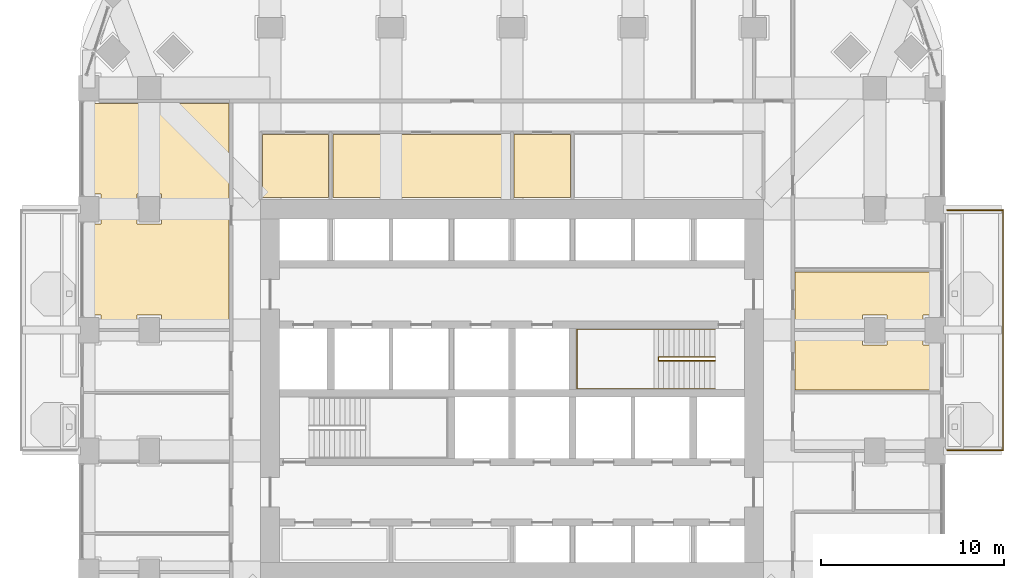
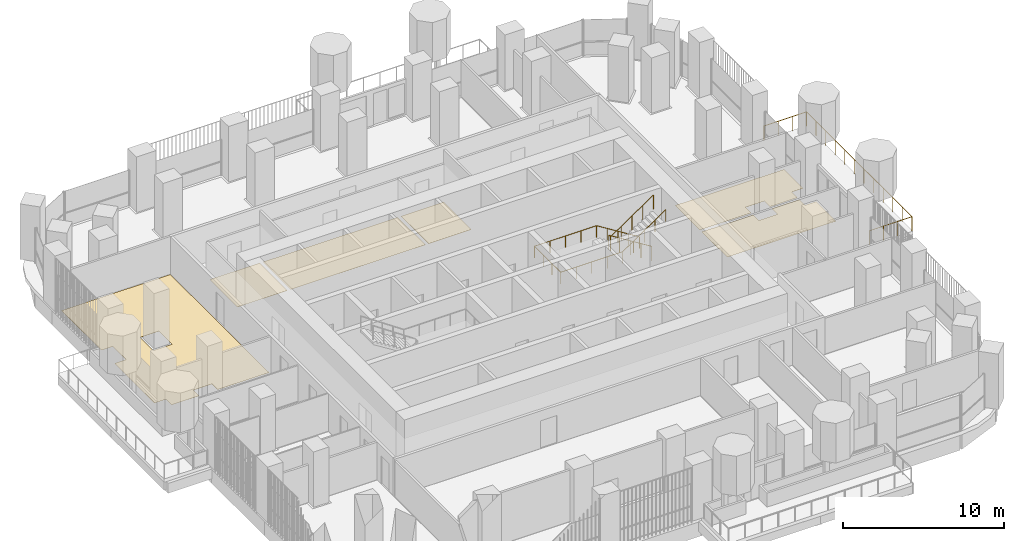
# One storey, part 20 of 22: 6 coverings, 3 railings.
"""IFC4 building model written with IfcOpenShell, lengths in metres."""

from ifc_helpers import new_model, si_unit, direction, frame, origin, place, context, subcontext, project, spatial, polyline, outline, extrude, material, layer, layer_set, type_object, element, save


model = new_model("IFC4")

# Units and contexts
model_context = context("Model", 3, precision=1e-05, world=origin(), true_north=direction((0.0, 1.0)))
body_context = subcontext(model_context, "Body", "Model", "MODEL_VIEW")
ifc_project = project(units=[si_unit("LENGTHUNIT", "METRE"), si_unit("AREAUNIT", "SQUARE_METRE"), si_unit("VOLUMEUNIT", "CUBIC_METRE"), si_unit("PLANEANGLEUNIT", "RADIAN"), si_unit("MASSUNIT", "GRAM", prefix="KILO")], contexts=[model_context])

# Site, building, storey
site_placement = place(None, origin())
site = spatial("IfcSite", under=ifc_project, at=site_placement, CompositionType="ELEMENT")
building_placement = place(site_placement, origin())
building = spatial("IfcBuilding", under=site, at=building_placement, Name="Cobogo Forest Laboratory Tower", CompositionType="ELEMENT")
storey_placement = place(building_placement, frame((0.0, 0.0, 120.0)))
storey = spatial("IfcBuildingStorey", under=building, at=storey_placement, Name="L27", CompositionType="ELEMENT", Elevation=120.0)

# Railing
ifc_material_1 = material(Name="Laminated glass balustrade", Category="glass")
railing_type_1 = type_object("IfcRailingType", Name="BG1 glass balustrade 1100", PredefinedType="GUARDRAIL", material=ifc_material_1)
railing_1_placement = place(storey_placement, frame((50.14990234375, 19.85009765625, 0.0)))
element("IfcRailing", 1, at=railing_1_placement, inside=storey, type_object=railing_type_1, Name="Balcony balustrade BAL-E1 L27", PredefinedType="GUARDRAIL", context=body_context, shape_type="SweptSolid", body=[
    extrude(outline(polyline([(0.022216796875, 0.00927734375), (0.00927734375, 0.022216796875), (-0.00927734375, 0.022216796875), (-0.022216796875, 0.00927734375), (-0.022216796875, -0.00927734375), (-0.00927734375, -0.022216796875), (0.00927734375, -0.022216796875), (0.022216796875, -0.00927734375), (0.022216796875, 0.00927734375)])), frame((0.0, 0.0, 1.077880859375), z_axis=(1.0, 0.0, 0.0), x_axis=(0.0, 1.0, 0.0)), (0.0, 0.0, 1.0), 3.050048828125),
    extrude(outline(polyline([(0.022216796875, 0.00927734375), (0.00927734375, 0.022216796875), (-0.00927734375, 0.022216796875), (-0.022216796875, 0.00927734375), (-0.022216796875, -0.00927734375), (-0.00927734375, -0.022216796875), (0.00927734375, -0.022216796875), (0.022216796875, -0.00927734375), (0.022216796875, 0.00927734375)])), frame((3.050048828125, 0.0, 1.077880859375), z_axis=(0.0, 1.0, 0.0), x_axis=(-1.0, 0.0, 0.0)), (0.0, 0.0, 1.0), 13.099853515625),
    extrude(outline(polyline([(0.022216796875, 0.00927734375), (0.00927734375, 0.022216796875), (-0.00927734375, 0.022216796875), (-0.022216796875, 0.00927734375), (-0.022216796875, -0.00927734375), (-0.00927734375, -0.022216796875), (0.00927734375, -0.022216796875), (0.022216796875, -0.00927734375), (0.022216796875, 0.00927734375)])), frame((3.050048828125, 13.099853515625, 1.077880859375), z_axis=(-1.0, 0.0, 0.0), x_axis=(0.0, -1.0, 0.0)), (0.0, 0.0, 1.0), 3.050048828125),
    extrude(outline(polyline([(0.019287109375, 0.008056640625), (0.008056640625, 0.019287109375), (-0.008056640625, 0.019287109375), (-0.019287109375, 0.008056640625), (-0.019287109375, -0.008056640625), (-0.008056640625, -0.019287109375), (0.008056640625, -0.019287109375), (0.019287109375, -0.008056640625), (0.019287109375, 0.008056640625)])), origin(), (0.0, 0.0, 1.0), 1.077880859375),
    extrude(outline(polyline([(0.019287109375, 0.008056640625), (0.008056640625, 0.019287109375), (-0.008056640625, 0.019287109375), (-0.019287109375, 0.008056640625), (-0.019287109375, -0.008056640625), (-0.008056640625, -0.019287109375), (0.008056640625, -0.019287109375), (0.019287109375, -0.008056640625), (0.019287109375, 0.008056640625)])), frame((1.0166015625, 0.0, 0.0)), (0.0, 0.0, 1.0), 1.077880859375),
    extrude(outline(polyline([(0.019287109375, 0.008056640625), (0.008056640625, 0.019287109375), (-0.008056640625, 0.019287109375), (-0.019287109375, 0.008056640625), (-0.019287109375, -0.008056640625), (-0.008056640625, -0.019287109375), (0.008056640625, -0.019287109375), (0.019287109375, -0.008056640625), (0.019287109375, 0.008056640625)])), frame((2.033447265625, 0.0, 0.0)), (0.0, 0.0, 1.0), 1.077880859375),
    extrude(outline(polyline([(0.019287109375, 0.008056640625), (0.008056640625, 0.019287109375), (-0.008056640625, 0.019287109375), (-0.019287109375, 0.008056640625), (-0.019287109375, -0.008056640625), (-0.008056640625, -0.019287109375), (0.008056640625, -0.019287109375), (0.019287109375, -0.008056640625), (0.019287109375, 0.008056640625)])), frame((3.050048828125, 0.0, 0.0)), (0.0, 0.0, 1.0), 1.077880859375),
    extrude(outline(polyline([(0.019287109375, 0.008056640625), (0.008056640625, 0.019287109375), (-0.008056640625, 0.019287109375), (-0.019287109375, 0.008056640625), (-0.019287109375, -0.008056640625), (-0.008056640625, -0.019287109375), (0.008056640625, -0.019287109375), (0.019287109375, -0.008056640625), (0.019287109375, 0.008056640625)])), frame((3.050048828125, 1.19091796875, 0.0)), (0.0, 0.0, 1.0), 1.077880859375),
    extrude(outline(polyline([(0.019287109375, 0.008056640625), (0.008056640625, 0.019287109375), (-0.008056640625, 0.019287109375), (-0.019287109375, 0.008056640625), (-0.019287109375, -0.008056640625), (-0.008056640625, -0.019287109375), (0.008056640625, -0.019287109375), (0.019287109375, -0.008056640625), (0.019287109375, 0.008056640625)])), frame((3.050048828125, 2.3818359375, 0.0)), (0.0, 0.0, 1.0), 1.077880859375),
    extrude(outline(polyline([(0.019287109375, 0.008056640625), (0.008056640625, 0.019287109375), (-0.008056640625, 0.019287109375), (-0.019287109375, 0.008056640625), (-0.019287109375, -0.008056640625), (-0.008056640625, -0.019287109375), (0.008056640625, -0.019287109375), (0.019287109375, -0.008056640625), (0.019287109375, 0.008056640625)])), frame((3.050048828125, 3.57275390625, 0.0)), (0.0, 0.0, 1.0), 1.077880859375),
    extrude(outline(polyline([(0.019287109375, 0.008056640625), (0.008056640625, 0.019287109375), (-0.008056640625, 0.019287109375), (-0.019287109375, 0.008056640625), (-0.019287109375, -0.008056640625), (-0.008056640625, -0.019287109375), (0.008056640625, -0.019287109375), (0.019287109375, -0.008056640625), (0.019287109375, 0.008056640625)])), frame((3.050048828125, 4.763671875, 0.0)), (0.0, 0.0, 1.0), 1.077880859375),
    extrude(outline(polyline([(0.019287109375, 0.008056640625), (0.008056640625, 0.019287109375), (-0.008056640625, 0.019287109375), (-0.019287109375, 0.008056640625), (-0.019287109375, -0.008056640625), (-0.008056640625, -0.019287109375), (0.008056640625, -0.019287109375), (0.019287109375, -0.008056640625), (0.019287109375, 0.008056640625)])), frame((3.050048828125, 5.95458984375, 0.0)), (0.0, 0.0, 1.0), 1.077880859375),
    extrude(outline(polyline([(0.019287109375, 0.008056640625), (0.008056640625, 0.019287109375), (-0.008056640625, 0.019287109375), (-0.019287109375, 0.008056640625), (-0.019287109375, -0.008056640625), (-0.008056640625, -0.019287109375), (0.008056640625, -0.019287109375), (0.019287109375, -0.008056640625), (0.019287109375, 0.008056640625)])), frame((3.050048828125, 7.145263671875, 0.0)), (0.0, 0.0, 1.0), 1.077880859375),
    extrude(outline(polyline([(0.019287109375, 0.008056640625), (0.008056640625, 0.019287109375), (-0.008056640625, 0.019287109375), (-0.019287109375, 0.008056640625), (-0.019287109375, -0.008056640625), (-0.008056640625, -0.019287109375), (0.008056640625, -0.019287109375), (0.019287109375, -0.008056640625), (0.019287109375, 0.008056640625)])), frame((3.050048828125, 8.336181640625, 0.0)), (0.0, 0.0, 1.0), 1.077880859375),
    extrude(outline(polyline([(0.019287109375, 0.008056640625), (0.008056640625, 0.019287109375), (-0.008056640625, 0.019287109375), (-0.019287109375, 0.008056640625), (-0.019287109375, -0.008056640625), (-0.008056640625, -0.019287109375), (0.008056640625, -0.019287109375), (0.019287109375, -0.008056640625), (0.019287109375, 0.008056640625)])), frame((3.050048828125, 9.527099609375, 0.0)), (0.0, 0.0, 1.0), 1.077880859375),
    extrude(outline(polyline([(0.019287109375, 0.008056640625), (0.008056640625, 0.019287109375), (-0.008056640625, 0.019287109375), (-0.019287109375, 0.008056640625), (-0.019287109375, -0.008056640625), (-0.008056640625, -0.019287109375), (0.008056640625, -0.019287109375), (0.019287109375, -0.008056640625), (0.019287109375, 0.008056640625)])), frame((3.050048828125, 10.718017578125, 0.0)), (0.0, 0.0, 1.0), 1.077880859375),
    extrude(outline(polyline([(0.019287109375, 0.008056640625), (0.008056640625, 0.019287109375), (-0.008056640625, 0.019287109375), (-0.019287109375, 0.008056640625), (-0.019287109375, -0.008056640625), (-0.008056640625, -0.019287109375), (0.008056640625, -0.019287109375), (0.019287109375, -0.008056640625), (0.019287109375, 0.008056640625)])), frame((3.050048828125, 11.908935546875, 0.0)), (0.0, 0.0, 1.0), 1.077880859375),
    extrude(outline(polyline([(0.019287109375, 0.008056640625), (0.008056640625, 0.019287109375), (-0.008056640625, 0.019287109375), (-0.019287109375, 0.008056640625), (-0.019287109375, -0.008056640625), (-0.008056640625, -0.019287109375), (0.008056640625, -0.019287109375), (0.019287109375, -0.008056640625), (0.019287109375, 0.008056640625)])), frame((3.050048828125, 13.099853515625, 0.0)), (0.0, 0.0, 1.0), 1.077880859375),
    extrude(outline(polyline([(0.019287109375, 0.008056640625), (0.008056640625, 0.019287109375), (-0.008056640625, 0.019287109375), (-0.019287109375, 0.008056640625), (-0.019287109375, -0.008056640625), (-0.008056640625, -0.019287109375), (0.008056640625, -0.019287109375), (0.019287109375, -0.008056640625), (0.019287109375, 0.008056640625)])), frame((2.033447265625, 13.099853515625, 0.0)), (0.0, 0.0, 1.0), 1.077880859375),
    extrude(outline(polyline([(0.019287109375, 0.008056640625), (0.008056640625, 0.019287109375), (-0.008056640625, 0.019287109375), (-0.019287109375, 0.008056640625), (-0.019287109375, -0.008056640625), (-0.008056640625, -0.019287109375), (0.008056640625, -0.019287109375), (0.019287109375, -0.008056640625), (0.019287109375, 0.008056640625)])), frame((1.0166015625, 13.099853515625, 0.0)), (0.0, 0.0, 1.0), 1.077880859375),
    extrude(outline(polyline([(0.019287109375, 0.008056640625), (0.008056640625, 0.019287109375), (-0.008056640625, 0.019287109375), (-0.019287109375, 0.008056640625), (-0.019287109375, -0.008056640625), (-0.008056640625, -0.019287109375), (0.008056640625, -0.019287109375), (0.019287109375, -0.008056640625), (0.019287109375, 0.008056640625)])), frame((0.0, 13.099853515625, 0.0)), (0.0, 0.0, 1.0), 1.077880859375),
])

# Coverings
ifc_material_2 = material(Name="Carpet tile on raised access floor", Category="flooring")
ifc_layer_1 = layer(ifc_material_2, 0.008056640625)
ifc_layer_set_1 = layer_set([ifc_layer_1], Name="CT1 carpet tile floor 8")
covering_type_1 = type_object("IfcCoveringType", Name="CT1 carpet tile floor 8", PredefinedType="FLOORING", material=ifc_layer_set_1)
covering_1_placement = place(storey_placement, origin())
element("IfcCovering", 2, at=covering_1_placement, inside=storey, type_object=covering_type_1, Name="Carpet floor L27-15", PredefinedType="FLOORING", context=body_context, shape_type="SweptSolid", body=[
    extrude(outline(polyline([(41.844970703125, 29.580078125), (49.64990234375, 29.580078125), (49.64990234375, 27.219970703125), (48.830078125, 27.219970703125), (48.830078125, 26.52001953125), (46.8701171875, 26.52001953125), (46.8701171875, 27.219970703125), (45.530029296875, 27.219970703125), (45.530029296875, 26.52001953125), (41.844970703125, 26.52001953125), (41.844970703125, 29.580078125)])), origin(), (0.0, 0.0, 1.0), 0.008056640625),
])
covering_2_placement = place(storey_placement, origin())
element("IfcCovering", 3, at=covering_2_placement, inside=storey, type_object=covering_type_1, Name="Carpet floor L27-25", PredefinedType="FLOORING", context=body_context, shape_type="SweptSolid", body=[
    extrude(outline(polyline([(10.955078125, 26.52001953125), (7.27001953125, 26.52001953125), (7.27001953125, 27.219970703125), (5.929931640625, 27.219970703125), (5.929931640625, 26.52001953125), (3.969970703125, 26.52001953125), (3.969970703125, 27.219970703125), (3.14990234375, 27.219970703125), (3.14990234375, 32.179931640625), (3.969970703125, 32.179931640625), (3.969970703125, 33.820068359375), (3.14990234375, 33.820068359375), (3.14990234375, 38.780029296875), (10.955078125, 38.780029296875), (10.955078125, 26.52001953125)]), holes=[polyline([(5.929931640625, 32.179931640625), (7.27001953125, 32.179931640625), (7.27001953125, 33.820068359375), (5.929931640625, 33.820068359375), (5.929931640625, 32.179931640625)])]), origin(), (0.0, 0.0, 1.0), 0.008056640625),
])

# Railings
ifc_material_3 = material(Name="Steel balustrade", Category="steel")
railing_type_2 = type_object("IfcRailingType", Name="GR stair guard 1100", PredefinedType="GUARDRAIL", material=ifc_material_3)
railing_2_placement = place(storey_placement, frame((37.47509765625, 24.929931640625, 0.175048828125)))
element("IfcRailing", 4, at=railing_2_placement, inside=storey, type_object=railing_type_2, Name="Stair guard ST2 L27", PredefinedType="GUARDRAIL", context=body_context, shape_type="SweptSolid", body=[
    extrude(outline(polyline([(0.022216796875, 0.00927734375), (0.00927734375, 0.022216796875), (-0.00927734375, 0.022216796875), (-0.022216796875, 0.00927734375), (-0.022216796875, -0.00927734375), (-0.00927734375, -0.022216796875), (0.00927734375, -0.022216796875), (0.022216796875, -0.00927734375), (0.022216796875, 0.00927734375)])), frame((0.0, 0.0, 1.077880859375), z_axis=(-0.847998304005, 0.0, 0.529998940003), x_axis=(0.0, -1.0, 0.0)), (0.0, 0.0, 1.0), 3.632080078125),
    extrude(outline(polyline([(0.022216796875, 0.00927734375), (0.00927734375, 0.022216796875), (-0.00927734375, 0.022216796875), (-0.022216796875, 0.00927734375), (-0.022216796875, -0.00927734375), (-0.00927734375, -0.022216796875), (0.00927734375, -0.022216796875), (0.022216796875, -0.00927734375), (0.022216796875, 0.00927734375)])), frame((-3.080078125, 0.0, 3.0029296875), z_axis=(0.0, -1.0, 0.0), x_axis=(1.0, 0.0, 0.0)), (0.0, 0.0, 1.0), 0.2099609375),
    extrude(outline(polyline([(0.022216796875, 0.00927734375), (0.00927734375, 0.022216796875), (-0.00927734375, 0.022216796875), (-0.022216796875, 0.00927734375), (-0.022216796875, -0.00927734375), (-0.00927734375, -0.022216796875), (0.00927734375, -0.022216796875), (0.022216796875, -0.00927734375), (0.022216796875, 0.00927734375)])), frame((-3.080078125, -0.2099609375, 3.0029296875), z_axis=(0.826252282691, 0.0, 0.563300244406), x_axis=(0.0, 1.0, 0.0)), (0.0, 0.0, 1.0), 3.727783203125),
    extrude(outline(polyline([(0.019287109375, 0.008056640625), (0.008056640625, 0.019287109375), (-0.008056640625, 0.019287109375), (-0.019287109375, 0.008056640625), (-0.019287109375, -0.008056640625), (-0.008056640625, -0.019287109375), (0.008056640625, -0.019287109375), (0.019287109375, -0.008056640625), (0.019287109375, 0.008056640625)])), origin(), (0.0, 0.0, 1.0), 1.077880859375),
    extrude(outline(polyline([(0.019287109375, 0.008056640625), (0.008056640625, 0.019287109375), (-0.008056640625, 0.019287109375), (-0.019287109375, 0.008056640625), (-0.019287109375, -0.008056640625), (-0.008056640625, -0.019287109375), (0.008056640625, -0.019287109375), (0.019287109375, -0.008056640625), (0.019287109375, 0.008056640625)])), frame((-0.77001953125, 0.0, 0.481201171875)), (0.0, 0.0, 1.0), 1.077880859375),
    extrude(outline(polyline([(0.019287109375, 0.008056640625), (0.008056640625, 0.019287109375), (-0.008056640625, 0.019287109375), (-0.019287109375, 0.008056640625), (-0.019287109375, -0.008056640625), (-0.008056640625, -0.019287109375), (0.008056640625, -0.019287109375), (0.019287109375, -0.008056640625), (0.019287109375, 0.008056640625)])), frame((-1.5400390625, 0.0, 0.96240234375)), (0.0, 0.0, 1.0), 1.077880859375),
    extrude(outline(polyline([(0.019287109375, 0.008056640625), (0.008056640625, 0.019287109375), (-0.008056640625, 0.019287109375), (-0.019287109375, 0.008056640625), (-0.019287109375, -0.008056640625), (-0.008056640625, -0.019287109375), (0.008056640625, -0.019287109375), (0.019287109375, -0.008056640625), (0.019287109375, 0.008056640625)])), frame((-2.31005859375, 0.0, 1.44384765625)), (0.0, 0.0, 1.0), 1.077880859375),
    extrude(outline(polyline([(0.019287109375, 0.008056640625), (0.008056640625, 0.019287109375), (-0.008056640625, 0.019287109375), (-0.019287109375, 0.008056640625), (-0.019287109375, -0.008056640625), (-0.008056640625, -0.019287109375), (0.008056640625, -0.019287109375), (0.019287109375, -0.008056640625), (0.019287109375, 0.008056640625)])), frame((-3.080078125, 0.0, 1.925048828125)), (0.0, 0.0, 1.0), 1.077880859375),
    extrude(outline(polyline([(0.019287109375, 0.008056640625), (0.008056640625, 0.019287109375), (-0.008056640625, 0.019287109375), (-0.019287109375, 0.008056640625), (-0.019287109375, -0.008056640625), (-0.008056640625, -0.019287109375), (0.008056640625, -0.019287109375), (0.019287109375, -0.008056640625), (0.019287109375, 0.008056640625)])), frame((-3.080078125, -0.2099609375, 1.925048828125)), (0.0, 0.0, 1.0), 1.077880859375),
    extrude(outline(polyline([(0.019287109375, 0.008056640625), (0.008056640625, 0.019287109375), (-0.008056640625, 0.019287109375), (-0.019287109375, 0.008056640625), (-0.019287109375, -0.008056640625), (-0.008056640625, -0.019287109375), (0.008056640625, -0.019287109375), (0.019287109375, -0.008056640625), (0.019287109375, 0.008056640625)])), frame((-2.31005859375, -0.2099609375, 2.449951171875)), (0.0, 0.0, 1.0), 1.077880859375),
    extrude(outline(polyline([(0.019287109375, 0.008056640625), (0.008056640625, 0.019287109375), (-0.008056640625, 0.019287109375), (-0.019287109375, 0.008056640625), (-0.019287109375, -0.008056640625), (-0.008056640625, -0.019287109375), (0.008056640625, -0.019287109375), (0.019287109375, -0.008056640625), (0.019287109375, 0.008056640625)])), frame((-1.5400390625, -0.2099609375, 2.97509765625)), (0.0, 0.0, 1.0), 1.077880859375),
    extrude(outline(polyline([(0.019287109375, 0.008056640625), (0.008056640625, 0.019287109375), (-0.008056640625, 0.019287109375), (-0.019287109375, 0.008056640625), (-0.019287109375, -0.008056640625), (-0.008056640625, -0.019287109375), (0.008056640625, -0.019287109375), (0.019287109375, -0.008056640625), (0.019287109375, 0.008056640625)])), frame((-0.77001953125, -0.2099609375, 3.5)), (0.0, 0.0, 1.0), 1.077880859375),
    extrude(outline(polyline([(0.019287109375, 0.008056640625), (0.008056640625, 0.019287109375), (-0.008056640625, 0.019287109375), (-0.019287109375, 0.008056640625), (-0.019287109375, -0.008056640625), (-0.008056640625, -0.019287109375), (0.008056640625, -0.019287109375), (0.019287109375, -0.008056640625), (0.019287109375, 0.008056640625)])), frame((0.0, -0.2099609375, 4.02490234375)), (0.0, 0.0, 1.0), 1.077880859375),
])
ifc_material_4 = material(Name="Stainless steel handrail", Category="steel")
railing_type_3 = type_object("IfcRailingType", Name="HR handrail 900", PredefinedType="HANDRAIL", material=ifc_material_4)
railing_3_placement = place(storey_placement, frame((37.47509765625, 26.449951171875, 0.175048828125)))
element("IfcRailing", 5, at=railing_3_placement, inside=storey, type_object=railing_type_3, Name="Stair handrail ST2 L27", PredefinedType="HANDRAIL", context=body_context, shape_type="SweptSolid", body=[
    extrude(outline(polyline([(0.022216796875, 0.00927734375), (0.00927734375, 0.022216796875), (-0.00927734375, 0.022216796875), (-0.022216796875, 0.00927734375), (-0.022216796875, -0.00927734375), (-0.00927734375, -0.022216796875), (0.00927734375, -0.022216796875), (0.022216796875, -0.00927734375), (0.022216796875, 0.00927734375)])), frame((0.0, 0.0, 0.877685546875), z_axis=(-0.847998304005, 0.0, 0.529998940003), x_axis=(0.0, -1.0, 0.0)), (0.0, 0.0, 1.0), 3.632080078125),
    extrude(outline(polyline([(0.022216796875, 0.00927734375), (0.00927734375, 0.022216796875), (-0.00927734375, 0.022216796875), (-0.022216796875, 0.00927734375), (-0.022216796875, -0.00927734375), (-0.00927734375, -0.022216796875), (0.00927734375, -0.022216796875), (0.022216796875, -0.00927734375), (0.022216796875, 0.00927734375)])), frame((-3.080078125, 0.0, 2.802734375), z_axis=(-1.0, 0.0, 0.0), x_axis=(0.0, -1.0, 0.0)), (0.0, 0.0, 1.0), 4.445068359375),
    extrude(outline(polyline([(0.022216796875, 0.00927734375), (0.00927734375, 0.022216796875), (-0.00927734375, 0.022216796875), (-0.022216796875, 0.00927734375), (-0.022216796875, -0.00927734375), (-0.00927734375, -0.022216796875), (0.00927734375, -0.022216796875), (0.022216796875, -0.00927734375), (0.022216796875, 0.00927734375)])), frame((-7.525146484375, 0.0, 2.802734375), z_axis=(0.0, -1.0, 0.0), x_axis=(1.0, 0.0, 0.0)), (0.0, 0.0, 1.0), 3.25),
    extrude(outline(polyline([(0.022216796875, 0.00927734375), (0.00927734375, 0.022216796875), (-0.00927734375, 0.022216796875), (-0.022216796875, 0.00927734375), (-0.022216796875, -0.00927734375), (-0.00927734375, -0.022216796875), (0.00927734375, -0.022216796875), (0.022216796875, -0.00927734375), (0.022216796875, 0.00927734375)])), frame((-7.525146484375, -3.25, 2.802734375), z_axis=(1.0, 0.0, 0.0), x_axis=(0.0, 1.0, 0.0)), (0.0, 0.0, 1.0), 4.445068359375),
    extrude(outline(polyline([(0.022216796875, 0.00927734375), (0.00927734375, 0.022216796875), (-0.00927734375, 0.022216796875), (-0.022216796875, 0.00927734375), (-0.022216796875, -0.00927734375), (-0.00927734375, -0.022216796875), (0.00927734375, -0.022216796875), (0.022216796875, -0.00927734375), (0.022216796875, 0.00927734375)])), frame((-3.080078125, -3.25, 2.802734375), z_axis=(0.826252282691, 0.0, 0.563300244406), x_axis=(0.0, 1.0, 0.0)), (0.0, 0.0, 1.0), 3.727783203125),
    extrude(outline(polyline([(0.019287109375, 0.008056640625), (0.008056640625, 0.019287109375), (-0.008056640625, 0.019287109375), (-0.019287109375, 0.008056640625), (-0.019287109375, -0.008056640625), (-0.008056640625, -0.019287109375), (0.008056640625, -0.019287109375), (0.019287109375, -0.008056640625), (0.019287109375, 0.008056640625)])), origin(), (0.0, 0.0, 1.0), 0.877685546875),
    extrude(outline(polyline([(0.019287109375, 0.008056640625), (0.008056640625, 0.019287109375), (-0.008056640625, 0.019287109375), (-0.019287109375, 0.008056640625), (-0.019287109375, -0.008056640625), (-0.008056640625, -0.019287109375), (0.008056640625, -0.019287109375), (0.019287109375, -0.008056640625), (0.019287109375, 0.008056640625)])), frame((-0.77001953125, 0.0, 0.481201171875)), (0.0, 0.0, 1.0), 0.877685546875),
    extrude(outline(polyline([(0.019287109375, 0.008056640625), (0.008056640625, 0.019287109375), (-0.008056640625, 0.019287109375), (-0.019287109375, 0.008056640625), (-0.019287109375, -0.008056640625), (-0.008056640625, -0.019287109375), (0.008056640625, -0.019287109375), (0.019287109375, -0.008056640625), (0.019287109375, 0.008056640625)])), frame((-1.5400390625, 0.0, 0.96240234375)), (0.0, 0.0, 1.0), 0.877685546875),
    extrude(outline(polyline([(0.019287109375, 0.008056640625), (0.008056640625, 0.019287109375), (-0.008056640625, 0.019287109375), (-0.019287109375, 0.008056640625), (-0.019287109375, -0.008056640625), (-0.008056640625, -0.019287109375), (0.008056640625, -0.019287109375), (0.019287109375, -0.008056640625), (0.019287109375, 0.008056640625)])), frame((-2.31005859375, 0.0, 1.44384765625)), (0.0, 0.0, 1.0), 0.877685546875),
    extrude(outline(polyline([(0.019287109375, 0.008056640625), (0.008056640625, 0.019287109375), (-0.008056640625, 0.019287109375), (-0.019287109375, 0.008056640625), (-0.019287109375, -0.008056640625), (-0.008056640625, -0.019287109375), (0.008056640625, -0.019287109375), (0.019287109375, -0.008056640625), (0.019287109375, 0.008056640625)])), frame((-3.080078125, 0.0, 1.925048828125)), (0.0, 0.0, 1.0), 0.877685546875),
    extrude(outline(polyline([(0.019287109375, 0.008056640625), (0.008056640625, 0.019287109375), (-0.008056640625, 0.019287109375), (-0.019287109375, 0.008056640625), (-0.019287109375, -0.008056640625), (-0.008056640625, -0.019287109375), (0.008056640625, -0.019287109375), (0.019287109375, -0.008056640625), (0.019287109375, 0.008056640625)])), frame((-4.19140625, 0.0, 1.925048828125)), (0.0, 0.0, 1.0), 0.877685546875),
    extrude(outline(polyline([(0.019287109375, 0.008056640625), (0.008056640625, 0.019287109375), (-0.008056640625, 0.019287109375), (-0.019287109375, 0.008056640625), (-0.019287109375, -0.008056640625), (-0.008056640625, -0.019287109375), (0.008056640625, -0.019287109375), (0.019287109375, -0.008056640625), (0.019287109375, 0.008056640625)])), frame((-5.302734375, 0.0, 1.925048828125)), (0.0, 0.0, 1.0), 0.877685546875),
    extrude(outline(polyline([(0.019287109375, 0.008056640625), (0.008056640625, 0.019287109375), (-0.008056640625, 0.019287109375), (-0.019287109375, 0.008056640625), (-0.019287109375, -0.008056640625), (-0.008056640625, -0.019287109375), (0.008056640625, -0.019287109375), (0.019287109375, -0.008056640625), (0.019287109375, 0.008056640625)])), frame((-6.413818359375, 0.0, 1.925048828125)), (0.0, 0.0, 1.0), 0.877685546875),
    extrude(outline(polyline([(0.019287109375, 0.008056640625), (0.008056640625, 0.019287109375), (-0.008056640625, 0.019287109375), (-0.019287109375, 0.008056640625), (-0.019287109375, -0.008056640625), (-0.008056640625, -0.019287109375), (0.008056640625, -0.019287109375), (0.019287109375, -0.008056640625), (0.019287109375, 0.008056640625)])), frame((-7.525146484375, 0.0, 1.925048828125)), (0.0, 0.0, 1.0), 0.877685546875),
    extrude(outline(polyline([(0.019287109375, 0.008056640625), (0.008056640625, 0.019287109375), (-0.008056640625, 0.019287109375), (-0.019287109375, 0.008056640625), (-0.019287109375, -0.008056640625), (-0.008056640625, -0.019287109375), (0.008056640625, -0.019287109375), (0.019287109375, -0.008056640625), (0.019287109375, 0.008056640625)])), frame((-7.525146484375, -1.083251953125, 1.925048828125)), (0.0, 0.0, 1.0), 0.877685546875),
    extrude(outline(polyline([(0.019287109375, 0.008056640625), (0.008056640625, 0.019287109375), (-0.008056640625, 0.019287109375), (-0.019287109375, 0.008056640625), (-0.019287109375, -0.008056640625), (-0.008056640625, -0.019287109375), (0.008056640625, -0.019287109375), (0.019287109375, -0.008056640625), (0.019287109375, 0.008056640625)])), frame((-7.525146484375, -2.166748046875, 1.925048828125)), (0.0, 0.0, 1.0), 0.877685546875),
    extrude(outline(polyline([(0.019287109375, 0.008056640625), (0.008056640625, 0.019287109375), (-0.008056640625, 0.019287109375), (-0.019287109375, 0.008056640625), (-0.019287109375, -0.008056640625), (-0.008056640625, -0.019287109375), (0.008056640625, -0.019287109375), (0.019287109375, -0.008056640625), (0.019287109375, 0.008056640625)])), frame((-7.525146484375, -3.25, 1.925048828125)), (0.0, 0.0, 1.0), 0.877685546875),
    extrude(outline(polyline([(0.019287109375, 0.008056640625), (0.008056640625, 0.019287109375), (-0.008056640625, 0.019287109375), (-0.019287109375, 0.008056640625), (-0.019287109375, -0.008056640625), (-0.008056640625, -0.019287109375), (0.008056640625, -0.019287109375), (0.019287109375, -0.008056640625), (0.019287109375, 0.008056640625)])), frame((-6.413818359375, -3.25, 1.925048828125)), (0.0, 0.0, 1.0), 0.877685546875),
    extrude(outline(polyline([(0.019287109375, 0.008056640625), (0.008056640625, 0.019287109375), (-0.008056640625, 0.019287109375), (-0.019287109375, 0.008056640625), (-0.019287109375, -0.008056640625), (-0.008056640625, -0.019287109375), (0.008056640625, -0.019287109375), (0.019287109375, -0.008056640625), (0.019287109375, 0.008056640625)])), frame((-5.302734375, -3.25, 1.925048828125)), (0.0, 0.0, 1.0), 0.877685546875),
    extrude(outline(polyline([(0.019287109375, 0.008056640625), (0.008056640625, 0.019287109375), (-0.008056640625, 0.019287109375), (-0.019287109375, 0.008056640625), (-0.019287109375, -0.008056640625), (-0.008056640625, -0.019287109375), (0.008056640625, -0.019287109375), (0.019287109375, -0.008056640625), (0.019287109375, 0.008056640625)])), frame((-4.19140625, -3.25, 1.925048828125)), (0.0, 0.0, 1.0), 0.877685546875),
    extrude(outline(polyline([(0.019287109375, 0.008056640625), (0.008056640625, 0.019287109375), (-0.008056640625, 0.019287109375), (-0.019287109375, 0.008056640625), (-0.019287109375, -0.008056640625), (-0.008056640625, -0.019287109375), (0.008056640625, -0.019287109375), (0.019287109375, -0.008056640625), (0.019287109375, 0.008056640625)])), frame((-3.080078125, -3.25, 1.925048828125)), (0.0, 0.0, 1.0), 0.877685546875),
    extrude(outline(polyline([(0.019287109375, 0.008056640625), (0.008056640625, 0.019287109375), (-0.008056640625, 0.019287109375), (-0.019287109375, 0.008056640625), (-0.019287109375, -0.008056640625), (-0.008056640625, -0.019287109375), (0.008056640625, -0.019287109375), (0.019287109375, -0.008056640625), (0.019287109375, 0.008056640625)])), frame((-2.31005859375, -3.25, 2.449951171875)), (0.0, 0.0, 1.0), 0.877685546875),
    extrude(outline(polyline([(0.019287109375, 0.008056640625), (0.008056640625, 0.019287109375), (-0.008056640625, 0.019287109375), (-0.019287109375, 0.008056640625), (-0.019287109375, -0.008056640625), (-0.008056640625, -0.019287109375), (0.008056640625, -0.019287109375), (0.019287109375, -0.008056640625), (0.019287109375, 0.008056640625)])), frame((-1.5400390625, -3.25, 2.97509765625)), (0.0, 0.0, 1.0), 0.877685546875),
    extrude(outline(polyline([(0.019287109375, 0.008056640625), (0.008056640625, 0.019287109375), (-0.008056640625, 0.019287109375), (-0.019287109375, 0.008056640625), (-0.019287109375, -0.008056640625), (-0.008056640625, -0.019287109375), (0.008056640625, -0.019287109375), (0.019287109375, -0.008056640625), (0.019287109375, 0.008056640625)])), frame((-0.77001953125, -3.25, 3.5)), (0.0, 0.0, 1.0), 0.877685546875),
    extrude(outline(polyline([(0.019287109375, 0.008056640625), (0.008056640625, 0.019287109375), (-0.008056640625, 0.019287109375), (-0.019287109375, 0.008056640625), (-0.019287109375, -0.008056640625), (-0.008056640625, -0.019287109375), (0.008056640625, -0.019287109375), (0.019287109375, -0.008056640625), (0.019287109375, 0.008056640625)])), frame((0.0, -3.25, 4.02490234375)), (0.0, 0.0, 1.0), 0.877685546875),
])

# Coverings
ifc_material_5 = material(Name="Epoxy resin flooring", Category="flooring")
ifc_layer_2 = layer(ifc_material_5, 0.00390625)
ifc_layer_set_2 = layer_set([ifc_layer_2], Name="LF1 epoxy laboratory floor 4")
covering_type_2 = type_object("IfcCoveringType", Name="LF1 epoxy laboratory floor 4", PredefinedType="FLOORING", material=ifc_layer_set_2)
covering_3_placement = place(storey_placement, origin())
element("IfcCovering", 6, at=covering_3_placement, inside=storey, type_object=covering_type_2, Name="Epoxy laboratory floor L27-02", PredefinedType="FLOORING", context=body_context, shape_type="SweptSolid", body=[
    extrude(outline(polyline([(26.280029296875, 33.64501953125), (16.6201171875, 33.64501953125), (16.6201171875, 37.080078125), (26.280029296875, 37.080078125), (26.280029296875, 33.64501953125)])), origin(), (0.0, 0.0, 1.0), 0.00390625),
])
ifc_material_6 = material(Name="Static-dissipative vinyl flooring", Category="flooring")
ifc_layer_3 = layer(ifc_material_6, 0.0029296875)
ifc_layer_set_3 = layer_set([ifc_layer_3], Name="SD1 static-dissipative vinyl floor 3")
covering_type_3 = type_object("IfcCoveringType", Name="SD1 static-dissipative vinyl floor 3", PredefinedType="FLOORING", material=ifc_layer_set_3)
covering_4_placement = place(storey_placement, origin())
element("IfcCovering", 7, at=covering_4_placement, inside=storey, type_object=covering_type_3, Name="Static-dissipative floor L27-14", PredefinedType="FLOORING", context=body_context, shape_type="SweptSolid", body=[
    extrude(outline(polyline([(41.844970703125, 26.280029296875), (45.530029296875, 26.280029296875), (45.530029296875, 25.580078125), (46.8701171875, 25.580078125), (46.8701171875, 26.280029296875), (48.830078125, 26.280029296875), (48.830078125, 25.580078125), (49.64990234375, 25.580078125), (49.64990234375, 23.1201171875), (41.844970703125, 23.1201171875), (41.844970703125, 26.280029296875)])), origin(), (0.0, 0.0, 1.0), 0.0029296875),
])
ifc_material_7 = material(Name="Ceramic floor tile", Category="flooring")
ifc_layer_4 = layer(ifc_material_7, 0.010009765625)
ifc_layer_set_4 = layer_set([ifc_layer_4], Name="TF1 ceramic tile floor 10")
covering_type_4 = type_object("IfcCoveringType", Name="TF1 ceramic tile floor 10", PredefinedType="FLOORING", material=ifc_layer_set_4)
covering_5_placement = place(storey_placement, origin())
element("IfcCovering", 8, at=covering_5_placement, inside=storey, type_object=covering_type_4, Name="Tile floor L27-01", PredefinedType="FLOORING", context=body_context, shape_type="SweptSolid", body=[
    extrude(outline(polyline([(16.3798828125, 33.64501953125), (12.794921875, 33.64501953125), (12.794921875, 37.080078125), (16.3798828125, 37.080078125), (16.3798828125, 33.64501953125)])), origin(), (0.0, 0.0, 1.0), 0.010009765625),
])
covering_6_placement = place(storey_placement, origin())
element("IfcCovering", 9, at=covering_6_placement, inside=storey, type_object=covering_type_4, Name="Tile floor L27-03", PredefinedType="FLOORING", context=body_context, shape_type="SweptSolid", body=[
    extrude(outline(polyline([(29.580078125, 33.64501953125), (26.52001953125, 33.64501953125), (26.52001953125, 37.080078125), (29.580078125, 37.080078125), (29.580078125, 33.64501953125)])), origin(), (0.0, 0.0, 1.0), 0.010009765625),
])

save(model, "model.ifc")
